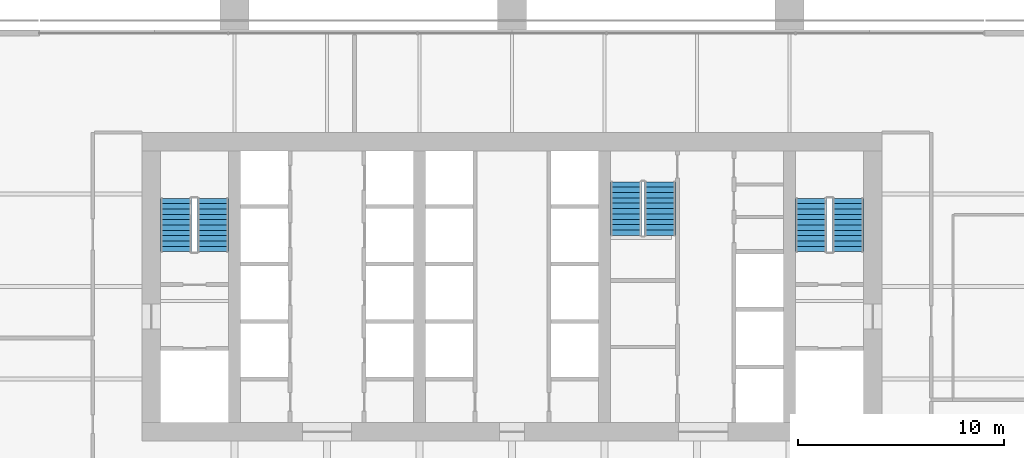
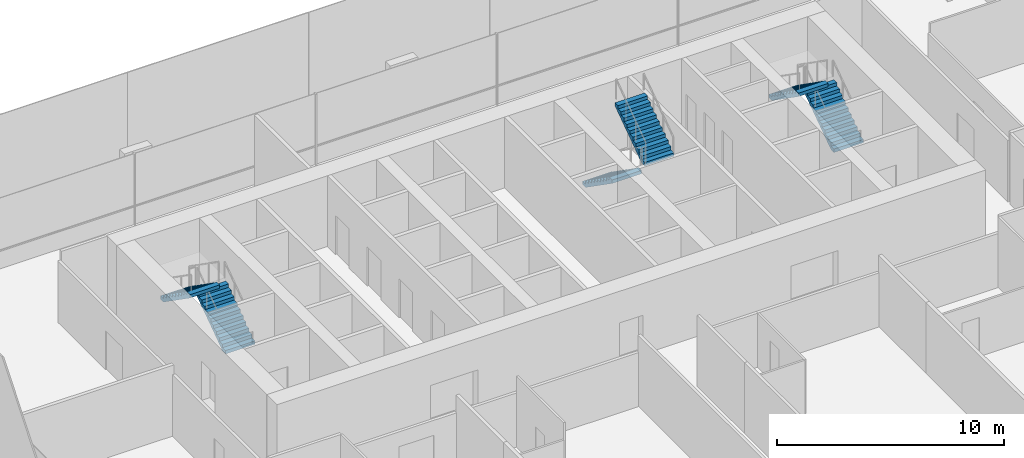
# One storey, part 13 of 16: 6 stair flights, 3 elements without a shape of their own.
"""IFC4 building model written with IfcOpenShell, lengths in metres."""

from ifc_helpers import new_model, si_unit, direction, frame, origin, place, context, subcontext, project, spatial, polyline, outline, extrude, material, type_object, element, aggregate, save


model = new_model("IFC4")

# Units and contexts
model_context = context("Model", 3, precision=1e-05, world=origin(), true_north=direction((0.0, 1.0)))
body_context = subcontext(model_context, "Body", "Model", "MODEL_VIEW")
ifc_project = project(units=[si_unit("LENGTHUNIT", "METRE"), si_unit("AREAUNIT", "SQUARE_METRE"), si_unit("VOLUMEUNIT", "CUBIC_METRE"), si_unit("PLANEANGLEUNIT", "RADIAN"), si_unit("MASSUNIT", "GRAM", prefix="KILO")], contexts=[model_context])

# Site, building, storey
site_placement = place(None, origin())
site = spatial("IfcSite", under=ifc_project, at=site_placement, CompositionType="ELEMENT")
building_placement = place(site_placement, origin())
building = spatial("IfcBuilding", under=site, at=building_placement, Name="Rattan Terrace Tower", CompositionType="ELEMENT")
storey_placement = place(building_placement, frame((0.0, 0.0, 150.10009765625)))
storey = spatial("IfcBuildingStorey", under=building, at=storey_placement, Name="L34", CompositionType="ELEMENT", Elevation=150.10009765625)

# Stair, stair flights
ifc_material_1 = material(Name="Concrete C40/50", Category="concrete")
stair_type = type_object("IfcStairType", Name="Core exit stair 1500", PredefinedType="HALF_TURN_STAIR", material=ifc_material_1)
stair_1_placement = place(storey_placement, origin())
stair_1 = element("IfcStair", 1, at=stair_1_placement, inside=storey, type_object=stair_type, Name="L34 exit stair 1", PredefinedType="HALF_TURN_STAIR")
ifc_material_2 = material(Name="Concrete C40/50", Category="concrete")
stair_flight_type = type_object("IfcStairFlightType", Name="Core exit stair flight 1500", PredefinedType="STRAIGHT", material=ifc_material_2)
stair_flight_1_placement = place(storey_placement, frame((-14.550048828125, 1.699951171875, 0.0), z_axis=(0.0, 0.0, 1.0), x_axis=(0.0, 1.0, 0.0)))
stair_flight_1 = element("IfcStairFlight", 2, at=stair_flight_1_placement, type_object=stair_flight_type, Name="S1 flight 1", NumberOfRisers=11, NumberOfTreads=10, PredefinedType="STRAIGHT", RiserHeight=0.181818182, TreadLength=0.26, context=body_context, shape_type="SweptSolid", body=[
    extrude(outline(polyline([(0.0, 0.0), (0.0, 0.181884765625), (0.260009765625, 0.181884765625), (0.260009765625, 0.363525390625), (0.52001953125, 0.363525390625), (0.52001953125, 0.54541015625), (0.780029296875, 0.54541015625), (0.780029296875, 0.727294921875), (1.0400390625, 0.727294921875), (1.0400390625, 0.9091796875), (1.300048828125, 0.9091796875), (1.300048828125, 1.0908203125), (1.56005859375, 1.0908203125), (1.56005859375, 1.272705078125), (1.820068359375, 1.272705078125), (1.820068359375, 1.45458984375), (2.080078125, 1.45458984375), (2.080078125, 1.636474609375), (2.340087890625, 1.636474609375), (2.340087890625, 1.818115234375), (2.60009765625, 1.818115234375), (2.60009765625, 2.0), (2.60009765625, 1.63525390625), (0.261474609375, 0.0), (0.0, 0.0)])), frame((0.0, 0.75, 0.0), z_axis=(0.0, -1.0, 0.0), x_axis=(1.0, 0.0, 0.0)), (0.0, 0.0, 1.0), 1.5),
])
stair_flight_2_placement = place(storey_placement, frame((-16.35009765625, 4.300048828125, 2.0), z_axis=(0.0, 0.0, 1.0), x_axis=(0.0, -1.0, 0.0)))
stair_flight_2 = element("IfcStairFlight", 3, at=stair_flight_2_placement, type_object=stair_flight_type, Name="S1 flight 2", NumberOfRisers=11, NumberOfTreads=10, PredefinedType="STRAIGHT", RiserHeight=0.181818182, TreadLength=0.26, context=body_context, shape_type="SweptSolid", body=[
    extrude(outline(polyline([(0.0, 0.0), (0.0, 0.181884765625), (0.260009765625, 0.181884765625), (0.260009765625, 0.363525390625), (0.52001953125, 0.363525390625), (0.52001953125, 0.54541015625), (0.780029296875, 0.54541015625), (0.780029296875, 0.727294921875), (1.0400390625, 0.727294921875), (1.0400390625, 0.9091796875), (1.300048828125, 0.9091796875), (1.300048828125, 1.0908203125), (1.56005859375, 1.0908203125), (1.56005859375, 1.272705078125), (1.820068359375, 1.272705078125), (1.820068359375, 1.45458984375), (2.080078125, 1.45458984375), (2.080078125, 1.636474609375), (2.340087890625, 1.636474609375), (2.340087890625, 1.818115234375), (2.60009765625, 1.818115234375), (2.60009765625, 2.0), (2.60009765625, 1.63525390625), (0.261474609375, 0.0), (0.0, 0.0)])), frame((0.0, 0.75, 0.0), z_axis=(0.0, -1.0, 0.0), x_axis=(1.0, 0.0, 0.0)), (0.0, 0.0, 1.0), 1.5),
])
aggregate(stair_1, [stair_flight_1, stair_flight_2])

stair_2_placement = place(storey_placement, origin())
stair_2 = element("IfcStair", 4, at=stair_2_placement, inside=storey, type_object=stair_type, Name="L34 exit stair 2", PredefinedType="HALF_TURN_STAIR")
stair_flight_3_placement = place(storey_placement, frame((16.35009765625, 1.699951171875, 0.0), z_axis=(0.0, 0.0, 1.0), x_axis=(0.0, 1.0, 0.0)))
stair_flight_3 = element("IfcStairFlight", 5, at=stair_flight_3_placement, type_object=stair_flight_type, Name="S2 flight 1", NumberOfRisers=11, NumberOfTreads=10, PredefinedType="STRAIGHT", RiserHeight=0.181818182, TreadLength=0.26, context=body_context, shape_type="SweptSolid", body=[
    extrude(outline(polyline([(0.0, 0.0), (0.0, 0.181884765625), (0.260009765625, 0.181884765625), (0.260009765625, 0.363525390625), (0.52001953125, 0.363525390625), (0.52001953125, 0.54541015625), (0.780029296875, 0.54541015625), (0.780029296875, 0.727294921875), (1.0400390625, 0.727294921875), (1.0400390625, 0.9091796875), (1.300048828125, 0.9091796875), (1.300048828125, 1.0908203125), (1.56005859375, 1.0908203125), (1.56005859375, 1.272705078125), (1.820068359375, 1.272705078125), (1.820068359375, 1.45458984375), (2.080078125, 1.45458984375), (2.080078125, 1.636474609375), (2.340087890625, 1.636474609375), (2.340087890625, 1.818115234375), (2.60009765625, 1.818115234375), (2.60009765625, 2.0), (2.60009765625, 1.63525390625), (0.261474609375, 0.0), (0.0, 0.0)])), frame((0.0, 0.75, 0.0), z_axis=(0.0, -1.0, 0.0), x_axis=(1.0, 0.0, 0.0)), (0.0, 0.0, 1.0), 1.5),
])
stair_flight_4_placement = place(storey_placement, frame((14.550048828125, 4.300048828125, 2.0), z_axis=(0.0, 0.0, 1.0), x_axis=(0.0, -1.0, 0.0)))
stair_flight_4 = element("IfcStairFlight", 6, at=stair_flight_4_placement, type_object=stair_flight_type, Name="S2 flight 2", NumberOfRisers=11, NumberOfTreads=10, PredefinedType="STRAIGHT", RiserHeight=0.181818182, TreadLength=0.26, context=body_context, shape_type="SweptSolid", body=[
    extrude(outline(polyline([(0.0, 0.0), (0.0, 0.181884765625), (0.260009765625, 0.181884765625), (0.260009765625, 0.363525390625), (0.52001953125, 0.363525390625), (0.52001953125, 0.54541015625), (0.780029296875, 0.54541015625), (0.780029296875, 0.727294921875), (1.0400390625, 0.727294921875), (1.0400390625, 0.9091796875), (1.300048828125, 0.9091796875), (1.300048828125, 1.0908203125), (1.56005859375, 1.0908203125), (1.56005859375, 1.272705078125), (1.820068359375, 1.272705078125), (1.820068359375, 1.45458984375), (2.080078125, 1.45458984375), (2.080078125, 1.636474609375), (2.340087890625, 1.636474609375), (2.340087890625, 1.818115234375), (2.60009765625, 1.818115234375), (2.60009765625, 2.0), (2.60009765625, 1.63525390625), (0.261474609375, 0.0), (0.0, 0.0)])), frame((0.0, 0.75, 0.0), z_axis=(0.0, -1.0, 0.0), x_axis=(1.0, 0.0, 0.0)), (0.0, 0.0, 1.0), 1.5),
])
aggregate(stair_2, [stair_flight_3, stair_flight_4])

stair_3_placement = place(storey_placement, origin())
stair_3 = element("IfcStair", 7, at=stair_3_placement, inside=storey, type_object=stair_type, Name="L34 exit stair 3", PredefinedType="HALF_TURN_STAIR")
stair_flight_5_placement = place(storey_placement, frame((5.550048828125, 5.10009765625, 0.0), z_axis=(0.0, 0.0, 1.0), x_axis=(0.0, -1.0, 0.0)))
stair_flight_5 = element("IfcStairFlight", 8, at=stair_flight_5_placement, type_object=stair_flight_type, Name="S3 flight 1", NumberOfRisers=11, NumberOfTreads=10, PredefinedType="STRAIGHT", RiserHeight=0.181818182, TreadLength=0.26, context=body_context, shape_type="SweptSolid", body=[
    extrude(outline(polyline([(0.0, 0.0), (0.0, 0.181884765625), (0.260009765625, 0.181884765625), (0.260009765625, 0.363525390625), (0.52001953125, 0.363525390625), (0.52001953125, 0.54541015625), (0.780029296875, 0.54541015625), (0.780029296875, 0.727294921875), (1.0400390625, 0.727294921875), (1.0400390625, 0.9091796875), (1.300048828125, 0.9091796875), (1.300048828125, 1.0908203125), (1.56005859375, 1.0908203125), (1.56005859375, 1.272705078125), (1.820068359375, 1.272705078125), (1.820068359375, 1.45458984375), (2.080078125, 1.45458984375), (2.080078125, 1.636474609375), (2.340087890625, 1.636474609375), (2.340087890625, 1.818115234375), (2.60009765625, 1.818115234375), (2.60009765625, 2.0), (2.60009765625, 1.63525390625), (0.261474609375, 0.0), (0.0, 0.0)])), frame((0.0, 0.75, 0.0), z_axis=(0.0, -1.0, 0.0), x_axis=(1.0, 0.0, 0.0)), (0.0, 0.0, 1.0), 1.5),
])
stair_flight_6_placement = place(storey_placement, frame((7.199951171875, 2.5, 2.0), z_axis=(0.0, 0.0, 1.0), x_axis=(0.0, 1.0, 0.0)))
stair_flight_6 = element("IfcStairFlight", 9, at=stair_flight_6_placement, type_object=stair_flight_type, Name="S3 flight 2", NumberOfRisers=11, NumberOfTreads=10, PredefinedType="STRAIGHT", RiserHeight=0.181818182, TreadLength=0.26, context=body_context, shape_type="SweptSolid", body=[
    extrude(outline(polyline([(0.0, 0.0), (0.0, 0.181884765625), (0.260009765625, 0.181884765625), (0.260009765625, 0.363525390625), (0.52001953125, 0.363525390625), (0.52001953125, 0.54541015625), (0.780029296875, 0.54541015625), (0.780029296875, 0.727294921875), (1.0400390625, 0.727294921875), (1.0400390625, 0.9091796875), (1.300048828125, 0.9091796875), (1.300048828125, 1.0908203125), (1.56005859375, 1.0908203125), (1.56005859375, 1.272705078125), (1.820068359375, 1.272705078125), (1.820068359375, 1.45458984375), (2.080078125, 1.45458984375), (2.080078125, 1.636474609375), (2.340087890625, 1.636474609375), (2.340087890625, 1.818115234375), (2.60009765625, 1.818115234375), (2.60009765625, 2.0), (2.60009765625, 1.63525390625), (0.261474609375, 0.0), (0.0, 0.0)])), frame((0.0, 0.75, 0.0), z_axis=(0.0, -1.0, 0.0), x_axis=(1.0, 0.0, 0.0)), (0.0, 0.0, 1.0), 1.5),
])
aggregate(stair_3, [stair_flight_5, stair_flight_6])

save(model, "model.ifc")
